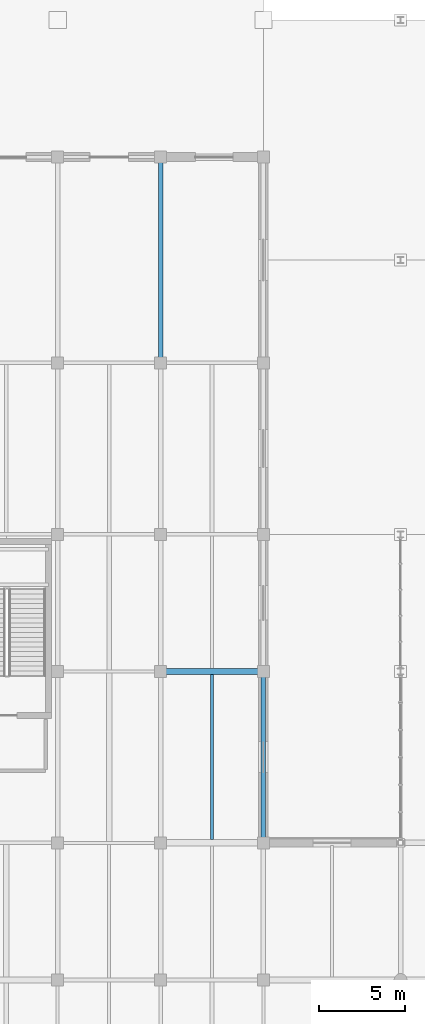
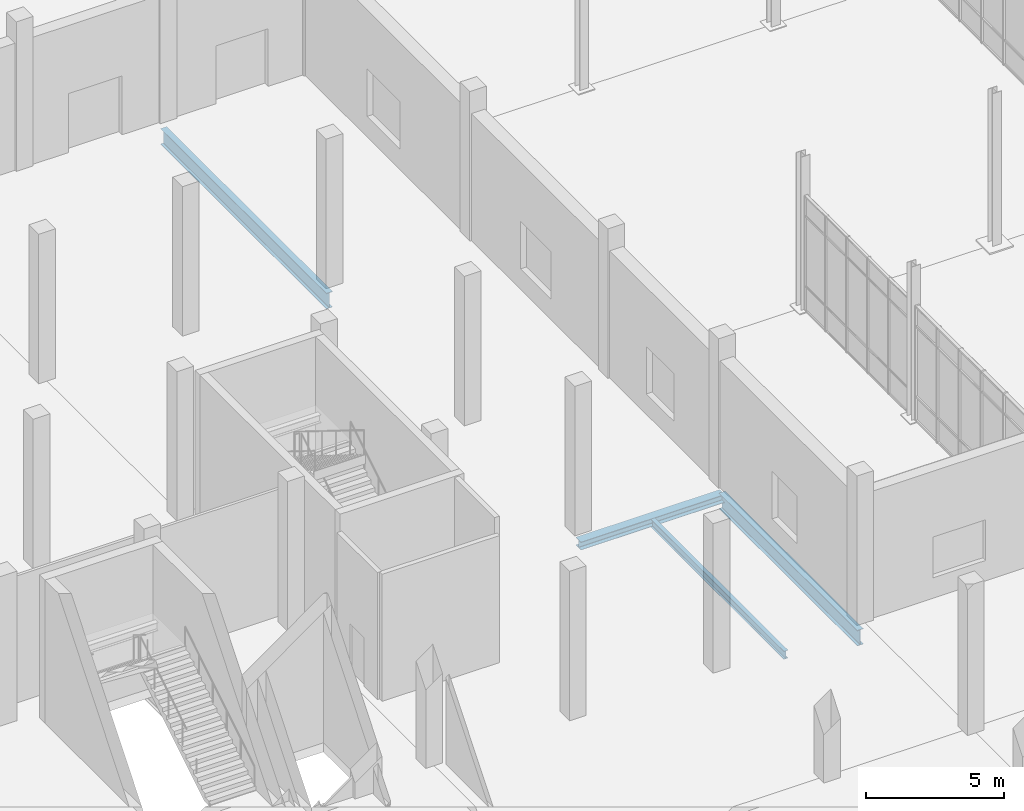
# One storey, part 55 of 140: 4 beams.
"""IFC4 building model written with IfcOpenShell, lengths in metres."""

from ifc_helpers import new_model, si_unit, direction, frame, origin, origin_2d, place, context, subcontext, project, spatial, i_section, extrude, material, material_profile, profile_set, type_object, element, save


model = new_model("IFC4")

# Units and contexts
model_context = context("Model", 3, precision=1e-05, world=origin(), true_north=direction((0.0, 1.0)))
body_context = subcontext(model_context, "Body", "Model", "MODEL_VIEW")
ifc_project = project(units=[si_unit("LENGTHUNIT", "METRE"), si_unit("AREAUNIT", "SQUARE_METRE"), si_unit("VOLUMEUNIT", "CUBIC_METRE"), si_unit("PLANEANGLEUNIT", "RADIAN"), si_unit("MASSUNIT", "GRAM", prefix="KILO")], contexts=[model_context])

# Site, building, storey
site_placement = place(None, origin())
site = spatial("IfcSite", under=ifc_project, at=site_placement, CompositionType="ELEMENT")
building_placement = place(site_placement, origin())
building = spatial("IfcBuilding", under=site, at=building_placement, Name="Verrall Gate Interchange", CompositionType="ELEMENT")
storey_placement = place(building_placement, origin())
storey = spatial("IfcBuildingStorey", under=building, at=storey_placement, Name="L01", CompositionType="ELEMENT", Elevation=0.0)

# Beams
ifc_material_1 = material(Name="Structural Steel CSA G40.21 350WT Cat 4", Category="steel")
ifc_material_profile_1 = material_profile(ifc_material_1, i_section(OverallWidth=0.256103515625, OverallDepth=0.693115234375, WebThickness=0.01318359375, FlangeThickness=0.02001953125, FilletRadius=0.01611328125, at=origin_2d()), Name="W690x170")
ifc_profile_set_1 = profile_set([ifc_material_profile_1], Name="Structural Steel CSA G40.21 350WT Cat 4")
beam_type_1 = type_object("IfcBeamType", Name="B-07 Structural Beam W690x170", PredefinedType="BEAM", material=ifc_profile_set_1)
beam_1_placement = place(storey_placement, frame((30.0, 84.0, -0.846435546875), z_axis=(0.0, 1.0, 0.0), x_axis=(-1.0, 0.0, 0.0)))
element("IfcBeam", 1, at=beam_1_placement, inside=storey, type_object=beam_type_1, Name="L01 Girder BM-L01-1070 (B-07)", PredefinedType="BEAM", context=body_context, shape_type="SweptSolid", body=[
    extrude(i_section(OverallWidth=0.256103515625, OverallDepth=0.693115234375, WebThickness=0.01318359375, FlangeThickness=0.02001953125, FilletRadius=0.01611328125, at=origin_2d()), origin(), (0.0, 0.0, 1.0), 12.0),
])
beam_2_placement = place(storey_placement, frame((36.0, 56.0, -0.846435546875), z_axis=(0.0, 1.0, 0.0), x_axis=(-1.0, 0.0, 0.0)))
element("IfcBeam", 2, at=beam_2_placement, inside=storey, type_object=beam_type_1, Name="L01 Girder BM-L01-1082 (B-07)", PredefinedType="BEAM", context=body_context, shape_type="SweptSolid", body=[
    extrude(i_section(OverallWidth=0.256103515625, OverallDepth=0.693115234375, WebThickness=0.01318359375, FlangeThickness=0.02001953125, FilletRadius=0.01611328125, at=origin_2d()), origin(), (0.0, 0.0, 1.0), 10.0),
])
ifc_material_2 = material(Name="Structural Steel CSA G40.21 350W", Category="steel")
ifc_material_profile_2 = material_profile(ifc_material_2, i_section(OverallWidth=0.368896484375, OverallDepth=0.35595703125, WebThickness=0.01123046875, FlangeThickness=0.01806640625, FilletRadius=0.014892578125, at=origin_2d()), Name="W360x134")
ifc_profile_set_2 = profile_set([ifc_material_profile_2], Name="Structural Steel CSA G40.21 350W")
beam_type_2 = type_object("IfcBeamType", Name="B-13 Structural Beam W360x134", PredefinedType="BEAM", material=ifc_profile_set_2)
beam_3_placement = place(storey_placement, frame((30.0, 66.0, -0.677978515625), z_axis=(1.0, 0.0, 0.0), x_axis=(0.0, 1.0, 0.0)))
element("IfcBeam", 3, at=beam_3_placement, inside=storey, type_object=beam_type_2, Name="L01 Girder BM-L01-0961 (B-13)", PredefinedType="BEAM", context=body_context, shape_type="SweptSolid", body=[
    extrude(i_section(OverallWidth=0.368896484375, OverallDepth=0.35595703125, WebThickness=0.01123046875, FlangeThickness=0.01806640625, FilletRadius=0.014892578125, at=origin_2d()), origin(), (0.0, 0.0, 1.0), 6.0),
])
ifc_material_3 = material(Name="Structural Steel CSA G40.21 350W", Category="steel")
ifc_material_profile_3 = material_profile(ifc_material_3, i_section(OverallWidth=0.172119140625, OverallDepth=0.35791015625, WebThickness=0.0078125, FlangeThickness=0.01318359375, FilletRadius=0.010986328125, at=origin_2d()), Name="W360x57")
ifc_profile_set_3 = profile_set([ifc_material_profile_3], Name="Structural Steel CSA G40.21 350W")
beam_type_3 = type_object("IfcBeamType", Name="J-01 Floor Joist W360x57", PredefinedType="JOIST", material=ifc_profile_set_3)
beam_4_placement = place(storey_placement, frame((33.0, 56.1845703125, -0.678955078125), z_axis=(0.0, 1.0, 0.0), x_axis=(-1.0, 0.0, 0.0)))
element("IfcBeam", 4, at=beam_4_placement, inside=storey, type_object=beam_type_3, Name="L01 Secondary Floor Joist JST-L01-1423", PredefinedType="JOIST", context=body_context, shape_type="SweptSolid", body=[
    extrude(i_section(OverallWidth=0.172119140625, OverallDepth=0.35791015625, WebThickness=0.0078125, FlangeThickness=0.01318359375, FilletRadius=0.010986328125, at=origin_2d()), origin(), (0.0, 0.0, 1.0), 9.630859375),
])

save(model, "model.ifc")
